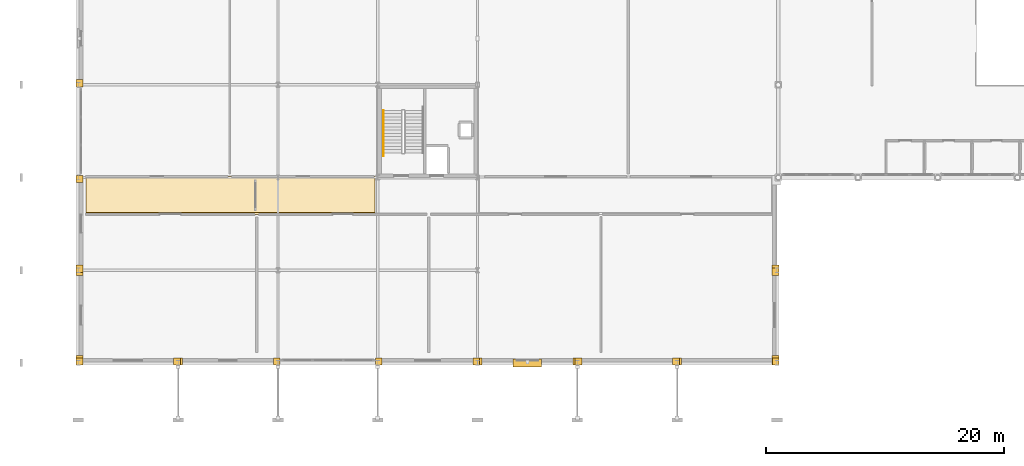
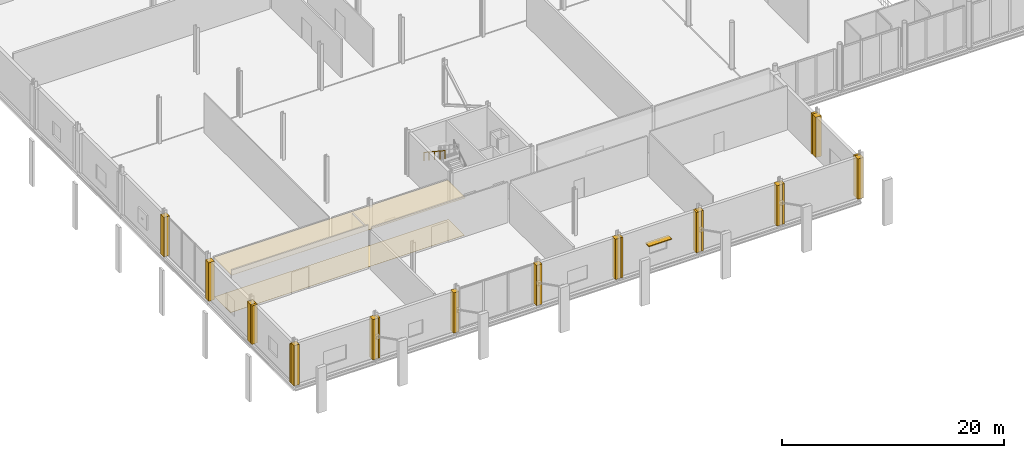
# One storey, part 92 of 105: 22 coverings, 1 railing, 1 shading device.
"""IFC4 building model written with IfcOpenShell, lengths in metres."""

from ifc_helpers import new_model, si_unit, direction, frame, origin, origin_2d, place, context, subcontext, project, spatial, polyline, rectangle, circle, outline, extrude, material, layer, layer_set, type_object, element, save


model = new_model("IFC4")

# Units and contexts
model_context = context("Model", 3, precision=1e-05, world=origin(), true_north=direction((0.0, 1.0)))
body_context = subcontext(model_context, "Body", "Model", "MODEL_VIEW")
ifc_project = project(units=[si_unit("LENGTHUNIT", "METRE"), si_unit("AREAUNIT", "SQUARE_METRE"), si_unit("VOLUMEUNIT", "CUBIC_METRE"), si_unit("PLANEANGLEUNIT", "RADIAN"), si_unit("MASSUNIT", "GRAM", prefix="KILO")], contexts=[model_context])

# Site, building, storey
site_placement = place(None, origin())
site = spatial("IfcSite", under=ifc_project, at=site_placement, CompositionType="ELEMENT")
building_placement = place(site_placement, origin())
building = spatial("IfcBuilding", under=site, at=building_placement, Name="Nabrawat Pavilion Hospital", CompositionType="ELEMENT")
storey_placement = place(building_placement, frame((0.0, 0.0, 5.10009765625)))
storey = spatial("IfcBuildingStorey", under=building, at=storey_placement, Name="L01", CompositionType="ELEMENT", Elevation=5.10009765625)

# Coverings
ifc_material_1 = material(Name="Precast concrete C40/50", Category="concrete")
ifc_layer_1 = layer(ifc_material_1, 0.360107421875, Name="Precast concrete C40/50")
ifc_layer_set_1 = layer_set([ifc_layer_1], Name="Precast concrete C40/50")
covering_type_1 = type_object("IfcCoveringType", Name="Architectural Precast Column-Jamb Closure Reveal", PredefinedType="CLADDING", material=ifc_layer_set_1)
covering_1_placement = place(storey_placement, origin())
element("IfcCovering", 1, at=covering_1_placement, inside=storey, type_object=covering_type_1, Name="L01 Precast Facade Column-Jamb Weatherseal Closure 0171", PredefinedType="CLADDING", context=body_context, shape_type="SweptSolid", body=[
    extrude(outline(polyline([(0.39990234375, -0.179931640625), (0.39990234375, 0.6201171875), (-0.179931640625, 0.6201171875), (-0.179931640625, -0.179931640625), (0.39990234375, -0.179931640625)])), origin(), (0.0, 0.0, 1.0), 4.22998046875),
])
covering_2_placement = place(storey_placement, origin())
element("IfcCovering", 2, at=covering_2_placement, inside=storey, type_object=covering_type_1, Name="L01 Precast Facade Column-Jamb Weatherseal Closure 0172", PredefinedType="CLADDING", context=body_context, shape_type="SweptSolid", body=[
    extrude(outline(polyline([(0.39990234375, 7.3701171875), (0.39990234375, 7.97998046875), (-0.179931640625, 7.97998046875), (-0.179931640625, 7.3701171875), (0.39990234375, 7.3701171875)])), origin(), (0.0, 0.0, 1.0), 4.22998046875),
])
covering_3_placement = place(storey_placement, origin())
element("IfcCovering", 3, at=covering_3_placement, inside=storey, type_object=covering_type_1, Name="L01 Precast Facade Column-Jamb Weatherseal Closure 0173", PredefinedType="CLADDING", context=body_context, shape_type="SweptSolid", body=[
    extrude(outline(polyline([(0.39990234375, 7.6201171875), (0.39990234375, 8.22998046875), (-0.179931640625, 8.22998046875), (-0.179931640625, 7.6201171875), (0.39990234375, 7.6201171875)])), origin(), (0.0, 0.0, 1.0), 4.22998046875),
])
covering_4_placement = place(storey_placement, origin())
element("IfcCovering", 4, at=covering_4_placement, inside=storey, type_object=covering_type_1, Name="L01 Precast Facade Column-Jamb Weatherseal Closure 0174", PredefinedType="CLADDING", context=body_context, shape_type="SweptSolid", body=[
    extrude(outline(polyline([(0.39990234375, 15.169921875), (0.39990234375, 15.780029296875), (-0.179931640625, 15.780029296875), (-0.179931640625, 15.169921875), (0.39990234375, 15.169921875)])), origin(), (0.0, 0.0, 1.0), 4.22998046875),
])
covering_5_placement = place(storey_placement, origin())
element("IfcCovering", 5, at=covering_5_placement, inside=storey, type_object=covering_type_1, Name="L01 Precast Facade Column-Jamb Weatherseal Closure 0175", PredefinedType="CLADDING", context=body_context, shape_type="SweptSolid", body=[
    extrude(outline(polyline([(0.39990234375, 23.219970703125), (0.39990234375, 23.830078125), (-0.179931640625, 23.830078125), (-0.179931640625, 23.219970703125), (0.39990234375, 23.219970703125)])), origin(), (0.0, 0.0, 1.0), 4.329833984375),
])
covering_6_placement = place(storey_placement, origin())
element("IfcCovering", 6, at=covering_6_placement, inside=storey, type_object=covering_type_1, Name="L01 Precast Facade Column-Jamb Weatherseal Closure 0179", PredefinedType="CLADDING", context=body_context, shape_type="SweptSolid", body=[
    extrude(outline(polyline([(0.3798828125, -0.179931640625), (0.3798828125, 0.39990234375), (-0.179931640625, 0.39990234375), (-0.179931640625, -0.179931640625), (0.3798828125, -0.179931640625)])), origin(), (0.0, 0.0, 1.0), 4.43994140625),
])
covering_7_placement = place(storey_placement, origin())
element("IfcCovering", 7, at=covering_7_placement, inside=storey, type_object=covering_type_1, Name="L01 Precast Facade Column-Jamb Weatherseal Closure 0180", PredefinedType="CLADDING", context=body_context, shape_type="SweptSolid", body=[
    extrude(outline(polyline([(8.580078125, -0.179931640625), (8.580078125, 0.39990234375), (8.02001953125, 0.39990234375), (8.02001953125, -0.179931640625), (8.580078125, -0.179931640625)])), origin(), (0.0, 0.0, 1.0), 4.43994140625),
])
covering_8_placement = place(storey_placement, origin())
element("IfcCovering", 8, at=covering_8_placement, inside=storey, type_object=covering_type_1, Name="L01 Precast Facade Column-Jamb Weatherseal Closure 0181", PredefinedType="CLADDING", context=body_context, shape_type="SweptSolid", body=[
    extrude(outline(polyline([(8.780029296875, -0.179931640625), (8.780029296875, 0.39990234375), (8.219970703125, 0.39990234375), (8.219970703125, -0.179931640625), (8.780029296875, -0.179931640625)])), origin(), (0.0, 0.0, 1.0), 4.429931640625),
])
covering_9_placement = place(storey_placement, origin())
element("IfcCovering", 9, at=covering_9_placement, inside=storey, type_object=covering_type_1, Name="L01 Precast Facade Column-Jamb Weatherseal Closure 0182", PredefinedType="CLADDING", context=body_context, shape_type="SweptSolid", body=[
    extrude(outline(polyline([(16.97998046875, -0.179931640625), (16.97998046875, 0.39990234375), (16.419921875, 0.39990234375), (16.419921875, -0.179931640625), (16.97998046875, -0.179931640625)])), origin(), (0.0, 0.0, 1.0), 4.429931640625),
])
covering_10_placement = place(storey_placement, origin())
element("IfcCovering", 10, at=covering_10_placement, inside=storey, type_object=covering_type_1, Name="L01 Precast Facade Column-Jamb Weatherseal Closure 0183", PredefinedType="CLADDING", context=body_context, shape_type="SweptSolid", body=[
    extrude(outline(polyline([(25.580078125, -0.179931640625), (25.580078125, 0.39990234375), (25.02001953125, 0.39990234375), (25.02001953125, -0.179931640625), (25.580078125, -0.179931640625)])), origin(), (0.0, 0.0, 1.0), 4.429931640625),
])
covering_11_placement = place(storey_placement, origin())
element("IfcCovering", 11, at=covering_11_placement, inside=storey, type_object=covering_type_1, Name="L01 Precast Facade Column-Jamb Weatherseal Closure 0184", PredefinedType="CLADDING", context=body_context, shape_type="SweptSolid", body=[
    extrude(outline(polyline([(33.780029296875, -0.179931640625), (33.780029296875, 0.39990234375), (33.219970703125, 0.39990234375), (33.219970703125, -0.179931640625), (33.780029296875, -0.179931640625)])), origin(), (0.0, 0.0, 1.0), 4.429931640625),
])
covering_12_placement = place(storey_placement, origin())
element("IfcCovering", 12, at=covering_12_placement, inside=storey, type_object=covering_type_1, Name="L01 Precast Facade Column-Jamb Weatherseal Closure 0185", PredefinedType="CLADDING", context=body_context, shape_type="SweptSolid", body=[
    extrude(outline(polyline([(33.97998046875, -0.179931640625), (33.97998046875, 0.39990234375), (33.419921875, 0.39990234375), (33.419921875, -0.179931640625), (33.97998046875, -0.179931640625)])), origin(), (0.0, 0.0, 1.0), 4.429931640625),
])
covering_13_placement = place(storey_placement, origin())
element("IfcCovering", 13, at=covering_13_placement, inside=storey, type_object=covering_type_1, Name="L01 Precast Facade Column-Jamb Weatherseal Closure 0186", PredefinedType="CLADDING", context=body_context, shape_type="SweptSolid", body=[
    extrude(outline(polyline([(42.179931640625, -0.179931640625), (42.179931640625, 0.39990234375), (41.6201171875, 0.39990234375), (41.6201171875, -0.179931640625), (42.179931640625, -0.179931640625)])), origin(), (0.0, 0.0, 1.0), 4.429931640625),
])
covering_14_placement = place(storey_placement, origin())
element("IfcCovering", 14, at=covering_14_placement, inside=storey, type_object=covering_type_1, Name="L01 Precast Facade Column-Jamb Weatherseal Closure 0187", PredefinedType="CLADDING", context=body_context, shape_type="SweptSolid", body=[
    extrude(outline(polyline([(42.3798828125, -0.179931640625), (42.3798828125, 0.39990234375), (41.820068359375, 0.39990234375), (41.820068359375, -0.179931640625), (42.3798828125, -0.179931640625)])), origin(), (0.0, 0.0, 1.0), 4.43994140625),
])
covering_15_placement = place(storey_placement, origin())
element("IfcCovering", 15, at=covering_15_placement, inside=storey, type_object=covering_type_1, Name="L01 Precast Facade Column-Jamb Weatherseal Closure 0188", PredefinedType="CLADDING", context=body_context, shape_type="SweptSolid", body=[
    extrude(outline(polyline([(50.580078125, -0.179931640625), (50.580078125, 0.39990234375), (50.02001953125, 0.39990234375), (50.02001953125, -0.179931640625), (50.580078125, -0.179931640625)])), origin(), (0.0, 0.0, 1.0), 4.43994140625),
])
covering_16_placement = place(storey_placement, origin())
element("IfcCovering", 16, at=covering_16_placement, inside=storey, type_object=covering_type_1, Name="L01 Precast Facade Column-Jamb Weatherseal Closure 0189", PredefinedType="CLADDING", context=body_context, shape_type="SweptSolid", body=[
    extrude(outline(polyline([(50.780029296875, -0.179931640625), (50.780029296875, 0.39990234375), (50.219970703125, 0.39990234375), (50.219970703125, -0.179931640625), (50.780029296875, -0.179931640625)])), origin(), (0.0, 0.0, 1.0), 4.43994140625),
])
covering_17_placement = place(storey_placement, origin())
element("IfcCovering", 17, at=covering_17_placement, inside=storey, type_object=covering_type_1, Name="L01 Precast Facade Column-Jamb Weatherseal Closure 0190", PredefinedType="CLADDING", context=body_context, shape_type="SweptSolid", body=[
    extrude(outline(polyline([(58.97998046875, -0.179931640625), (58.97998046875, 0.39990234375), (58.419921875, 0.39990234375), (58.419921875, -0.179931640625), (58.97998046875, -0.179931640625)])), origin(), (0.0, 0.0, 1.0), 4.43994140625),
])
covering_18_placement = place(storey_placement, origin())
element("IfcCovering", 18, at=covering_18_placement, inside=storey, type_object=covering_type_1, Name="L01 Precast Facade Column-Jamb Weatherseal Closure 0221", PredefinedType="CLADDING", context=body_context, shape_type="SweptSolid", body=[
    extrude(outline(polyline([(58.97998046875, -0.179931640625), (58.97998046875, 0.6201171875), (58.39990234375, 0.6201171875), (58.39990234375, -0.179931640625), (58.97998046875, -0.179931640625)])), origin(), (0.0, 0.0, 1.0), 4.43994140625),
])
covering_19_placement = place(storey_placement, origin())
element("IfcCovering", 19, at=covering_19_placement, inside=storey, type_object=covering_type_1, Name="L01 Precast Facade Column-Jamb Weatherseal Closure 0222", PredefinedType="CLADDING", context=body_context, shape_type="SweptSolid", body=[
    extrude(outline(polyline([(58.97998046875, 7.3701171875), (58.97998046875, 7.97998046875), (58.39990234375, 7.97998046875), (58.39990234375, 7.3701171875), (58.97998046875, 7.3701171875)])), origin(), (0.0, 0.0, 1.0), 4.43994140625),
])
covering_20_placement = place(storey_placement, origin())
element("IfcCovering", 20, at=covering_20_placement, inside=storey, type_object=covering_type_1, Name="L01 Precast Facade Column-Jamb Weatherseal Closure 0223", PredefinedType="CLADDING", context=body_context, shape_type="SweptSolid", body=[
    extrude(outline(polyline([(58.97998046875, 7.6201171875), (58.97998046875, 8.22998046875), (58.39990234375, 8.22998046875), (58.39990234375, 7.6201171875), (58.97998046875, 7.6201171875)])), origin(), (0.0, 0.0, 1.0), 4.43994140625),
])
ifc_material_2 = material(Name="Mineral-Fibre Hygienic Acoustic Board", Category="gypsum")
ifc_layer_2 = layer(ifc_material_2, 0.02490234375, Name="Mineral-Fibre Hygienic Acoustic Board")
ifc_layer_set_2 = layer_set([ifc_layer_2], Name="Mineral-Fibre Hygienic Acoustic Board")
covering_type_2 = type_object("IfcCoveringType", Name="Hygienic Anti-Bacterial Acoustic Tile Ceiling", PredefinedType="CEILING", material=ifc_layer_set_2)
covering_21_placement = place(storey_placement, frame((0.0, 0.0, 4.2099609375)))
element("IfcCovering", 21, at=covering_21_placement, inside=storey, type_object=covering_type_2, Name="L01 Clinical Corridor Acoustic Ceiling 03", PredefinedType="CEILING", context=body_context, shape_type="SweptSolid", body=[
    extrude(outline(polyline([(24.949951171875, 12.469970703125), (24.949951171875, 15.72998046875), (0.64990234375, 15.72998046875), (0.64990234375, 12.469970703125), (24.949951171875, 12.469970703125)])), origin(), (0.0, 0.0, 1.0), 0.02490234375),
])
ifc_material_3 = material(Name="Homogeneous Medical PVC Vinyl", Category="plastic")
ifc_layer_3 = layer(ifc_material_3, 0.014892578125, Name="Homogeneous Medical PVC Vinyl")
ifc_layer_set_3 = layer_set([ifc_layer_3], Name="Homogeneous Medical PVC Vinyl")
covering_type_3 = type_object("IfcCoveringType", Name="Seamless Anti-Static Medical Vinyl Flooring", PredefinedType="FLOORING", material=ifc_layer_set_3)
covering_22_placement = place(storey_placement, origin())
element("IfcCovering", 22, at=covering_22_placement, inside=storey, type_object=covering_type_3, Name="L01 Clinical Corridor Medical Vinyl Flooring 03", PredefinedType="FLOORING", context=body_context, shape_type="SweptSolid", body=[
    extrude(outline(polyline([(24.949951171875, 12.64990234375), (24.949951171875, 15.550048828125), (0.64990234375, 15.550048828125), (0.64990234375, 12.64990234375), (24.949951171875, 12.64990234375)])), origin(), (0.0, 0.0, 1.0), 0.014892578125),
])

# Railing
ifc_material_4 = material(Name="Stainless Steel 316", Category="steel")
ifc_layer_4 = layer(ifc_material_4, 0.044921875, Name="Stainless Steel 316")
ifc_layer_set_4 = layer_set([ifc_layer_4], Name="Stainless Steel 316")
railing_type = type_object("IfcRailingType", Name="Stair Pitch Continuous Handrail 920", PredefinedType="HANDRAIL", material=ifc_layer_set_4)
railing_placement = place(storey_placement, frame((25.675048828125, 21.2451171875, 2.736083984375)))
element("IfcRailing", 23, at=railing_placement, inside=storey, type_object=railing_type, Name="L01 ST-01 stair handrail 2", PredefinedType="HANDRAIL", context=body_context, shape_type="SweptSolid", body=[
    extrude(circle(Radius=0.02392578125, at=origin_2d()), frame((0.0, 0.0, 0.89599609375), z_axis=(0.0, -0.833713881912, 0.552196670677), x_axis=(1.0, 0.0, 0.0)), (0.0, 0.0, 1.0), 4.617919921875),
    extrude(circle(Radius=0.02099609375, at=origin_2d()), origin(), (0.0, 0.0, 1.0), 0.871826171875),
    extrude(circle(Radius=0.02099609375, at=origin_2d()), frame((0.0, -0.96240234375, 0.637451171875)), (0.0, 0.0, 1.0), 0.871826171875),
    extrude(circle(Radius=0.02099609375, at=origin_2d()), frame((0.0, -1.925048828125, 1.27490234375)), (0.0, 0.0, 1.0), 0.871826171875),
    extrude(circle(Radius=0.02099609375, at=origin_2d()), frame((0.0, -2.8876953125, 1.91259765625)), (0.0, 0.0, 1.0), 0.871826171875),
    extrude(circle(Radius=0.02099609375, at=origin_2d()), frame((0.0, -3.85009765625, 2.550048828125)), (0.0, 0.0, 1.0), 0.871826171875),
])

# Shading device
ifc_material_5 = material(Name="Anodised Aluminium", Category="aluminium")
ifc_layer_5 = layer(ifc_material_5, 0.10009765625, Name="Anodised Aluminium")
ifc_layer_set_5 = layer_set([ifc_layer_5], Name="Anodised Aluminium")
shading_device_type = type_object("IfcShadingDeviceType", Name="Window Brow Horizontal Sun-Shading Canopy", PredefinedType="AWNING", material=ifc_layer_set_5)
shading_device_placement = place(storey_placement, frame((37.800048828125, -0.010009765625, 2.499755859375), z_axis=(0.0, 0.0, 1.0), x_axis=(1.0, 0.0, 0.0)))
element("IfcShadingDevice", 24, at=shading_device_placement, inside=storey, type_object=shading_device_type, Name="L01 Window Sun-Shading Brow Canopy 009", PredefinedType="AWNING", context=body_context, shape_type="SweptSolid", body=[
    extrude(rectangle(XDim=2.39990234375, YDim=0.64990234375, at=origin_2d()), origin(), (0.0, 0.0, 1.0), 0.10009765625),
])

save(model, "model.ifc")
